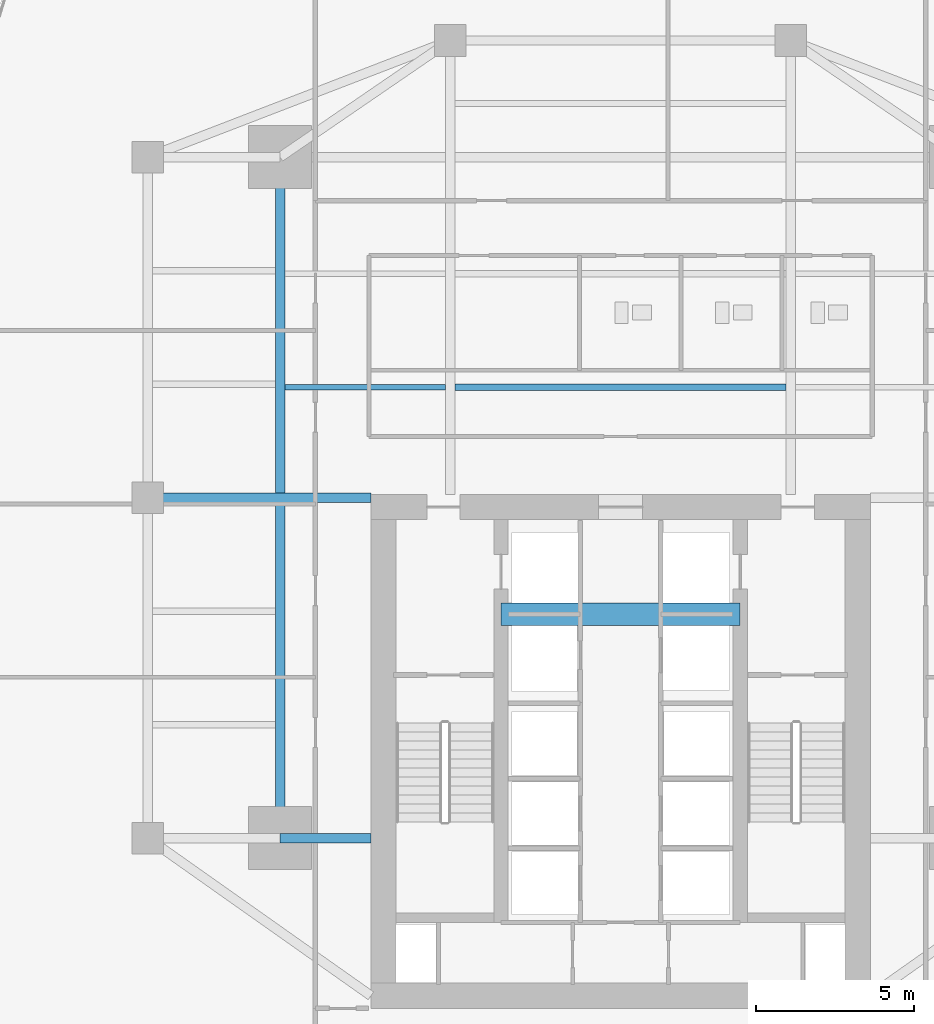
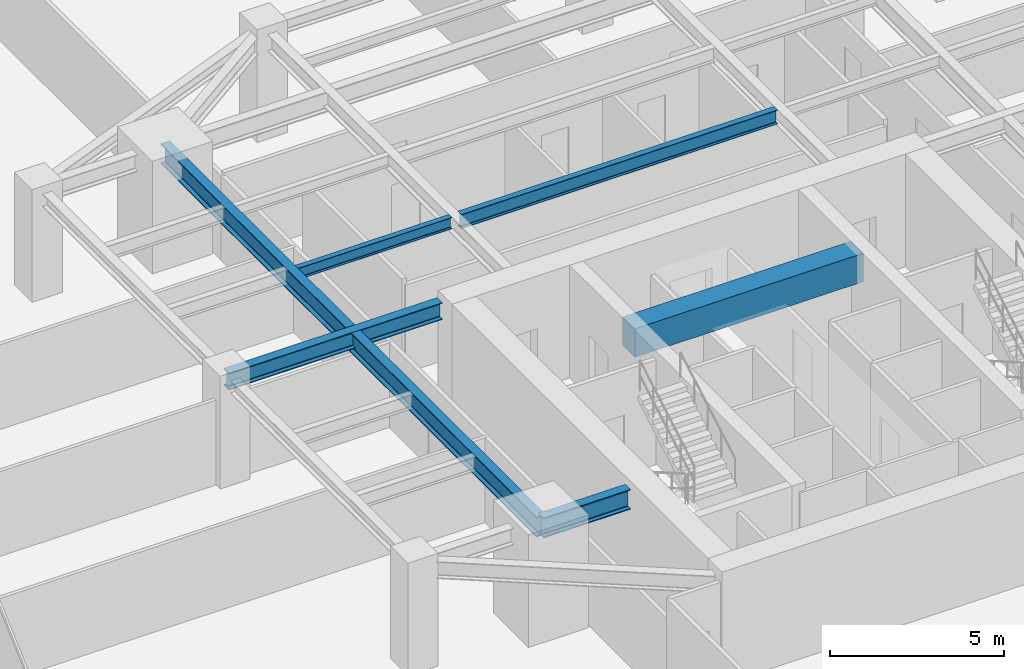
# One storey, part 8 of 26: 6 beams.
"""IFC4 building model written with IfcOpenShell, lengths in metres."""

from ifc_helpers import new_model, si_unit, direction, frame, origin, origin_2d, place, context, subcontext, project, spatial, rectangle, i_section, extrude, source, transform, mapped, material, material_profile, profile_set, type_object, type_shapes, element, save


model = new_model("IFC4")

# Units and contexts
model_context = context("Model", 3, precision=1e-05, world=origin(), true_north=direction((0.0, 1.0)))
body_context = subcontext(model_context, "Body", "Model", "MODEL_VIEW")
ifc_project = project(units=[si_unit("LENGTHUNIT", "METRE"), si_unit("AREAUNIT", "SQUARE_METRE"), si_unit("VOLUMEUNIT", "CUBIC_METRE"), si_unit("PLANEANGLEUNIT", "RADIAN"), si_unit("MASSUNIT", "GRAM", prefix="KILO")], contexts=[model_context])

# Site, building, storey
site_placement = place(None, origin())
site = spatial("IfcSite", under=ifc_project, at=site_placement, CompositionType="ELEMENT")
building_placement = place(site_placement, origin())
building = spatial("IfcBuilding", under=site, at=building_placement, Name="Krantzveldt Concourse Tower", CompositionType="ELEMENT")
storey_placement = place(building_placement, frame((0.0, 0.0, 109.800048828125)))
storey = spatial("IfcBuildingStorey", under=building, at=storey_placement, Name="L26", CompositionType="ELEMENT", Elevation=109.800048828125)

# Beams
ifc_material_1 = material(Name="Steel S355J2", Category="steel")
ifc_material_profile_1 = material_profile(ifc_material_1, i_section(OverallWidth=0.300048828125, OverallDepth=0.699951171875, WebThickness=0.01708984375, FlangeThickness=0.031982421875, FilletRadius=0.027099609375, at=origin_2d()), Name="Steel S355J2", Category="steel")
ifc_profile_set_1 = profile_set([ifc_material_profile_1], Name="Steel S355J2 - HEB 700")
beam_type_1 = type_object("IfcBeamType", Name="BM-B-HEB700", PredefinedType="BEAM", material=ifc_profile_set_1)
shared_shape_1 = source(origin(), body_context, "Body", "SweptSolid", [
    extrude(i_section(OverallWidth=0.300048828125, OverallDepth=0.699951171875, WebThickness=0.01708984375, FlangeThickness=0.031982421875, FilletRadius=0.027099609375, at=origin_2d()), origin(), (0.0, 0.0, 1.0), 2.880126953125),
])
beam_1_placement = place(storey_placement, frame((25.199951171875, 15.89990234375, 3.320068359375), z_axis=(1.0, 0.0, 0.0), x_axis=(0.0, 1.0, 0.0)))
element("IfcBeam", 1, at=beam_1_placement, inside=storey, type_object=beam_type_1, Name="L26 Tower Girder BG-CW1", PredefinedType="BEAM", context=body_context, shape_type="MappedRepresentation", body=[
    mapped(shared_shape_1, transform((0.0, 0.0, 0.0), x_axis=(1.0, 0.0, 0.0), y_axis=(0.0, 1.0, 0.0), z_axis=(0.0, 0.0, 1.0), scale=1.0)),
])
shared_shape_2 = source(origin(), body_context, "Body", "SweptSolid", [
    extrude(i_section(OverallWidth=0.300048828125, OverallDepth=0.699951171875, WebThickness=0.01708984375, FlangeThickness=0.031982421875, FilletRadius=0.027099609375, at=origin_2d()), origin(), (0.0, 0.0, 1.0), 21.60009765625),
])
type_shapes(beam_type_1, [shared_shape_1, shared_shape_2])
beam_2_placement = place(storey_placement, frame((25.199951171875, 15.89990234375, 3.320068359375), z_axis=(0.0, 1.0, 0.0), x_axis=(-1.0, 0.0, 0.0)))
element("IfcBeam", 2, at=beam_2_placement, inside=storey, type_object=beam_type_1, Name="L26 Tower Girder BG-MW", PredefinedType="BEAM", context=body_context, shape_type="MappedRepresentation", body=[
    mapped(shared_shape_2, transform((0.0, 0.0, 0.0), x_axis=(1.0, 0.0, 0.0), y_axis=(0.0, 1.0, 0.0), z_axis=(0.0, 0.0, 1.0), scale=1.0)),
])
ifc_material_2 = material(Name="Steel S355JR", Category="steel")
ifc_material_profile_2 = material_profile(ifc_material_2, i_section(OverallWidth=0.300048828125, OverallDepth=0.590087890625, WebThickness=0.012939453125, FlangeThickness=0.02490234375, FilletRadius=0.027099609375, at=origin_2d()), Name="Steel S355JR", Category="steel")
ifc_profile_set_2 = profile_set([ifc_material_profile_2], Name="Steel S355JR - HEA 600")
beam_type_2 = type_object("IfcBeamType", Name="BM-B-HEA600", PredefinedType="BEAM", material=ifc_profile_set_2)
shared_shape_3 = source(origin(), body_context, "Body", "SweptSolid", [
    extrude(i_section(OverallWidth=0.300048828125, OverallDepth=0.590087890625, WebThickness=0.012939453125, FlangeThickness=0.02490234375, FilletRadius=0.027099609375, at=origin_2d()), origin(), (0.0, 0.0, 1.0), 7.080078125),
])
type_shapes(beam_type_2, [shared_shape_3])
beam_3_placement = place(storey_placement, frame((21.0, 26.699951171875, 3.375), z_axis=(1.0, 0.0, 0.0), x_axis=(0.0, 1.0, 0.0)))
element("IfcBeam", 3, at=beam_3_placement, inside=storey, type_object=beam_type_2, Name="L26 Tower Girder BG-CW2", PredefinedType="BEAM", context=body_context, shape_type="MappedRepresentation", body=[
    mapped(shared_shape_3, transform((0.0, 0.0, 0.0), x_axis=(1.0, 0.0, 0.0), y_axis=(0.0, 1.0, 0.0), z_axis=(0.0, 0.0, 1.0), scale=1.0)),
])
ifc_material_profile_3 = material_profile(ifc_material_2, i_section(OverallWidth=0.199951171875, OverallDepth=0.5, WebThickness=0.01025390625, FlangeThickness=0.01611328125, FilletRadius=0.02099609375, at=origin_2d()), Name="Steel S355JR", Category="steel")
ifc_profile_set_3 = profile_set([ifc_material_profile_3], Name="Steel S355JR - IPE 500")
beam_type_3 = type_object("IfcBeamType", Name="BM-J-IPE500", PredefinedType="JOIST", material=ifc_profile_set_3)
shared_shape_4 = source(origin(), body_context, "Body", "SweptSolid", [
    extrude(i_section(OverallWidth=0.199951171875, OverallDepth=0.5, WebThickness=0.01025390625, FlangeThickness=0.01611328125, FilletRadius=0.02099609375, at=origin_2d()), origin(), (0.0, 0.0, 1.0), 10.5),
])
type_shapes(beam_type_3, [shared_shape_4])
beam_4_placement = place(storey_placement, frame((30.75, 30.199951171875, 3.419921875), z_axis=(1.0, 0.0, 0.0), x_axis=(0.0, 1.0, 0.0)))
element("IfcBeam", 4, at=beam_4_placement, inside=storey, type_object=beam_type_3, Name="L26 Secondary Floor Joist JN-C1", PredefinedType="JOIST", context=body_context, shape_type="MappedRepresentation", body=[
    mapped(shared_shape_4, transform((0.0, 0.0, 0.0), x_axis=(1.0, 0.0, 0.0), y_axis=(0.0, 1.0, 0.0), z_axis=(0.0, 0.0, 1.0), scale=1.0)),
])
ifc_material_profile_4 = material_profile(ifc_material_2, i_section(OverallWidth=0.179931640625, OverallDepth=0.39990234375, WebThickness=0.008544921875, FlangeThickness=0.013427734375, FilletRadius=0.02099609375, at=origin_2d()), Name="Steel S355JR", Category="steel")
ifc_profile_set_4 = profile_set([ifc_material_profile_4], Name="Steel S355JR - IPE 400")
beam_type_4 = type_object("IfcBeamType", Name="BM-J-IPE400", PredefinedType="JOIST", material=ifc_profile_set_4)
shared_shape_5 = source(origin(), body_context, "Body", "SweptSolid", [
    extrude(i_section(OverallWidth=0.179931640625, OverallDepth=0.39990234375, WebThickness=0.008544921875, FlangeThickness=0.013427734375, FilletRadius=0.02099609375, at=origin_2d()), origin(), (0.0, 0.0, 1.0), 5.099853515625),
])
type_shapes(beam_type_4, [shared_shape_5])
beam_5_placement = place(storey_placement, frame((25.35009765625, 30.199951171875, 3.469970703125), z_axis=(1.0, 0.0, 0.0), x_axis=(0.0, 1.0, 0.0)))
element("IfcBeam", 5, at=beam_5_placement, inside=storey, type_object=beam_type_4, Name="L26 Secondary Floor Joist JN-W1", PredefinedType="JOIST", context=body_context, shape_type="MappedRepresentation", body=[
    mapped(shared_shape_5, transform((0.0, 0.0, 0.0), x_axis=(1.0, 0.0, 0.0), y_axis=(0.0, 1.0, 0.0), z_axis=(0.0, 0.0, 1.0), scale=1.0)),
])
ifc_material_3 = material(Name="Concrete C50/60", Category="concrete")
ifc_material_profile_5 = material_profile(ifc_material_3, rectangle(XDim=0.699951171875, YDim=1.0, at=origin_2d()), Name="Concrete C50/60", Category="concrete")
ifc_profile_set_5 = profile_set([ifc_material_profile_5], Name="Concrete C50/60 - RC-CB 700x1000")
beam_type_5 = type_object("IfcBeamType", Name="BM-CB-1000", PredefinedType="LINTEL", material=ifc_profile_set_5)
shared_shape_6 = source(origin(), body_context, "Body", "SweptSolid", [
    extrude(rectangle(XDim=0.699951171875, YDim=1.0, at=origin_2d()), origin(), (0.0, 0.0, 1.0), 7.580078125),
])
type_shapes(beam_type_5, [shared_shape_6])
beam_6_placement = place(storey_placement, frame((32.2099609375, 23.0, 3.169921875), z_axis=(1.0, 0.0, 0.0), x_axis=(0.0, 1.0, 0.0)))
element("IfcBeam", 6, at=beam_6_placement, inside=storey, type_object=beam_type_5, Name="CB-L26-01", PredefinedType="LINTEL", context=body_context, shape_type="MappedRepresentation", body=[
    mapped(shared_shape_6, transform((0.0, 0.0, 0.0), x_axis=(1.0, 0.0, 0.0), y_axis=(0.0, 1.0, 0.0), z_axis=(0.0, 0.0, 1.0), scale=1.0)),
])

save(model, "model.ifc")
